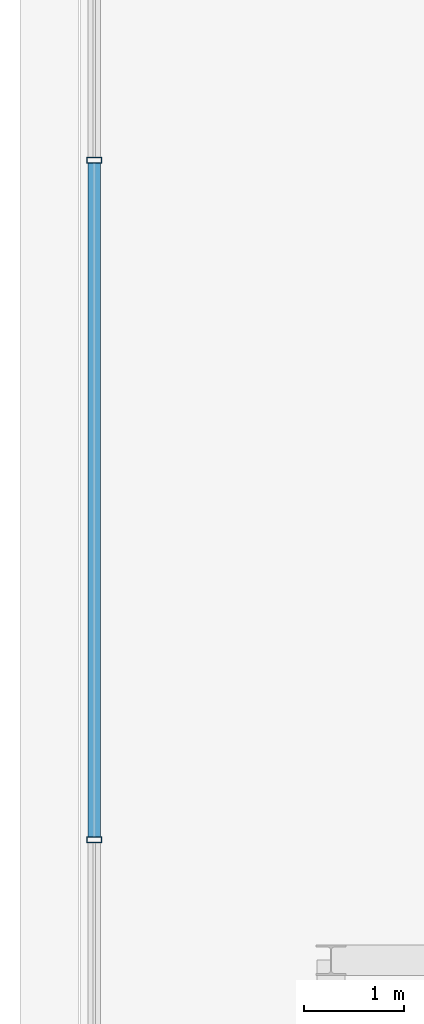
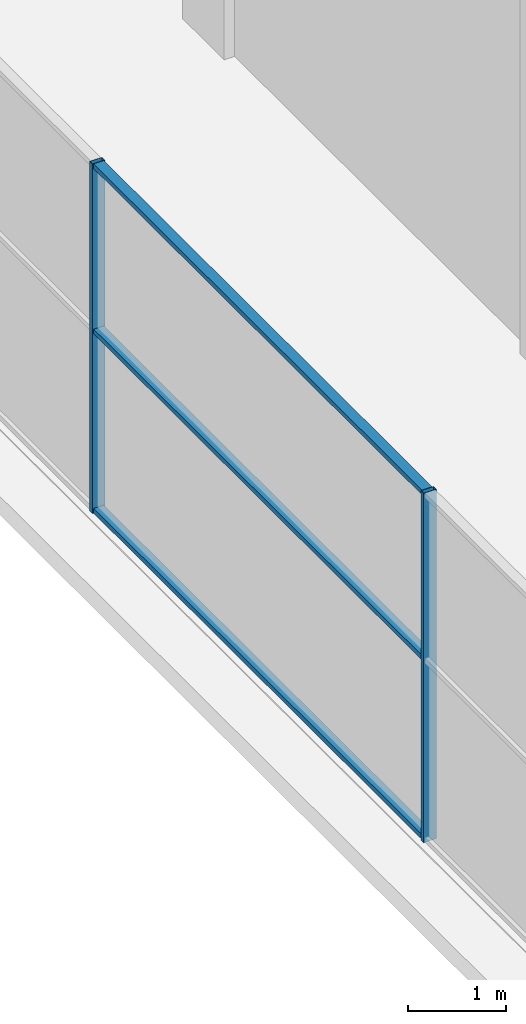
# One storey, part 11 of 28: 5 members, 1 element without a shape of its own.
"""IFC4 building model written with IfcOpenShell, lengths in metres."""

from ifc_helpers import new_model, si_unit, direction, frame, origin, origin_2d, place, context, subcontext, project, spatial, hollow_rectangle, extrude, source, transform, mapped, material, layer, layer_set, material_profile, profile_set, type_object, element, aggregate, save


model = new_model("IFC4")

# Units and contexts
model_context = context("Model", 3, precision=1e-05, world=origin(), true_north=direction((0.0, 1.0)))
body_context = subcontext(model_context, "Body", "Model", "MODEL_VIEW")
ifc_project = project(units=[si_unit("LENGTHUNIT", "METRE"), si_unit("AREAUNIT", "SQUARE_METRE"), si_unit("VOLUMEUNIT", "CUBIC_METRE"), si_unit("PLANEANGLEUNIT", "RADIAN"), si_unit("MASSUNIT", "GRAM", prefix="KILO")], contexts=[model_context])

# Site, building, storey
site_placement = place(None, origin())
site = spatial("IfcSite", under=ifc_project, at=site_placement, CompositionType="ELEMENT")
building_placement = place(site_placement, origin())
building = spatial("IfcBuilding", under=site, at=building_placement, Name="Zarnakvel Exchange Tower", CompositionType="ELEMENT")
storey_placement = place(building_placement, frame((0.0, 0.0, 276.199951171875)))
storey = spatial("IfcBuildingStorey", under=building, at=storey_placement, Name="Crown L78", CompositionType="ELEMENT", Elevation=276.199951171875)

# Curtain wall, members
ifc_material = material(Name="Architectural Bronze Anodised Aluminium", Category="aluminium")
ifc_layer = layer(ifc_material, 0.14990234375)
ifc_layer_set = layer_set([ifc_layer], Name="Architectural Bronze Anodised Aluminium")
curtain_wall_type = type_object("IfcCurtainWallType", Name="CW-07", PredefinedType="NOTDEFINED", material=ifc_layer_set)
curtain_wall_placement = place(storey_placement, origin())
curtain_wall = element("IfcCurtainWall", 1, at=curtain_wall_placement, inside=storey, type_object=curtain_wall_type, Name="Crown L78 Curtain Wall CW-Crown L78-W (CW-07)", PredefinedType="NOTDEFINED")
ifc_material_profile_1 = material_profile(ifc_material, hollow_rectangle(XDim=0.14990234375, YDim=0.06005859375, WallThickness=0.00390625, at=origin_2d()))
ifc_profile_set_1 = profile_set([ifc_material_profile_1], Name="Architectural Bronze Anodised Aluminium")
member_type_1 = type_object("IfcMemberType", Name="CWM-07", PredefinedType="MULLION", material=ifc_profile_set_1)
shared_shape_1 = source(origin(), body_context, "Body", "SweptSolid", [
    extrude(hollow_rectangle(XDim=0.14990234375, YDim=0.06005859375, WallThickness=0.00390625, at=origin_2d()), origin(), (0.0, 0.0, 1.0), 4.360107421875),
])
member_1_placement = place(storey_placement, frame((-19.9599609375, 0.0, 0.0), z_axis=(0.0, 0.0, 1.0), x_axis=(-1.0, 0.0, 0.0)))
member_1 = element("IfcMember", 2, at=member_1_placement, type_object=member_type_1, Name="CW-07 mullion 3", PredefinedType="MULLION", context=body_context, shape_type="MappedRepresentation", body=[
    mapped(shared_shape_1, transform((0.0, 0.0, 0.0), x_axis=(1.0, 0.0, 0.0), y_axis=(0.0, 1.0, 0.0), z_axis=(0.0, 0.0, 1.0), scale=1.0)),
])
member_2_placement = place(storey_placement, frame((-19.9599609375, 6.77490234375, 0.0), z_axis=(0.0, 0.0, 1.0), x_axis=(-1.0, 0.0, 0.0)))
member_2 = element("IfcMember", 3, at=member_2_placement, type_object=member_type_1, Name="CW-07 mullion 4", PredefinedType="MULLION", context=body_context, shape_type="MappedRepresentation", body=[
    mapped(shared_shape_1, transform((0.0, 0.0, 0.0), x_axis=(1.0, 0.0, 0.0), y_axis=(0.0, 1.0, 0.0), z_axis=(0.0, 0.0, 1.0), scale=1.0)),
])
ifc_material_profile_2 = material_profile(ifc_material, hollow_rectangle(XDim=0.1201171875, YDim=0.06005859375, WallThickness=0.00390625, at=origin_2d()))
ifc_profile_set_2 = profile_set([ifc_material_profile_2], Name="Architectural Bronze Anodised Aluminium")
member_type_2 = type_object("IfcMemberType", Name="CWT-07", PredefinedType="USERDEFINED", material=ifc_profile_set_2)
shared_shape_2 = source(origin(), body_context, "Body", "SweptSolid", [
    extrude(hollow_rectangle(XDim=0.1201171875, YDim=0.06005859375, WallThickness=0.00390625, at=origin_2d()), origin(), (0.0, 0.0, 1.0), 6.715087890625),
])
member_3_placement = place(storey_placement, frame((-19.9599609375, 0.030029296875, 0.030029296875), z_axis=(0.0, 1.0, 0.0), x_axis=(-1.0, 0.0, 0.0)))
member_3 = element("IfcMember", 4, at=member_3_placement, type_object=member_type_2, Name="CW-07 transom 3.1", ObjectType="TRANSOM", PredefinedType="USERDEFINED", context=body_context, shape_type="MappedRepresentation", body=[
    mapped(shared_shape_2, transform((0.0, 0.0, 0.0), x_axis=(1.0, 0.0, 0.0), y_axis=(0.0, 1.0, 0.0), z_axis=(0.0, 0.0, 1.0), scale=1.0)),
])
member_4_placement = place(storey_placement, frame((-19.9599609375, 0.030029296875, 2.267333984375), z_axis=(0.0, 1.0, 0.0), x_axis=(-1.0, 0.0, 0.0)))
member_4 = element("IfcMember", 5, at=member_4_placement, type_object=member_type_2, Name="CW-07 transom 3.2", ObjectType="TRANSOM", PredefinedType="USERDEFINED", context=body_context, shape_type="MappedRepresentation", body=[
    mapped(shared_shape_2, transform((0.0, 0.0, 0.0), x_axis=(1.0, 0.0, 0.0), y_axis=(0.0, 1.0, 0.0), z_axis=(0.0, 0.0, 1.0), scale=1.0)),
])
member_5_placement = place(storey_placement, frame((-19.9599609375, 0.030029296875, 4.330078125), z_axis=(0.0, 1.0, 0.0), x_axis=(-1.0, 0.0, 0.0)))
member_5 = element("IfcMember", 6, at=member_5_placement, type_object=member_type_2, Name="CW-07 transom 3.3", ObjectType="TRANSOM", PredefinedType="USERDEFINED", context=body_context, shape_type="MappedRepresentation", body=[
    mapped(shared_shape_2, transform((0.0, 0.0, 0.0), x_axis=(1.0, 0.0, 0.0), y_axis=(0.0, 1.0, 0.0), z_axis=(0.0, 0.0, 1.0), scale=1.0)),
])
aggregate(curtain_wall, [member_1, member_2, member_3, member_4, member_5])

save(model, "model.ifc")
